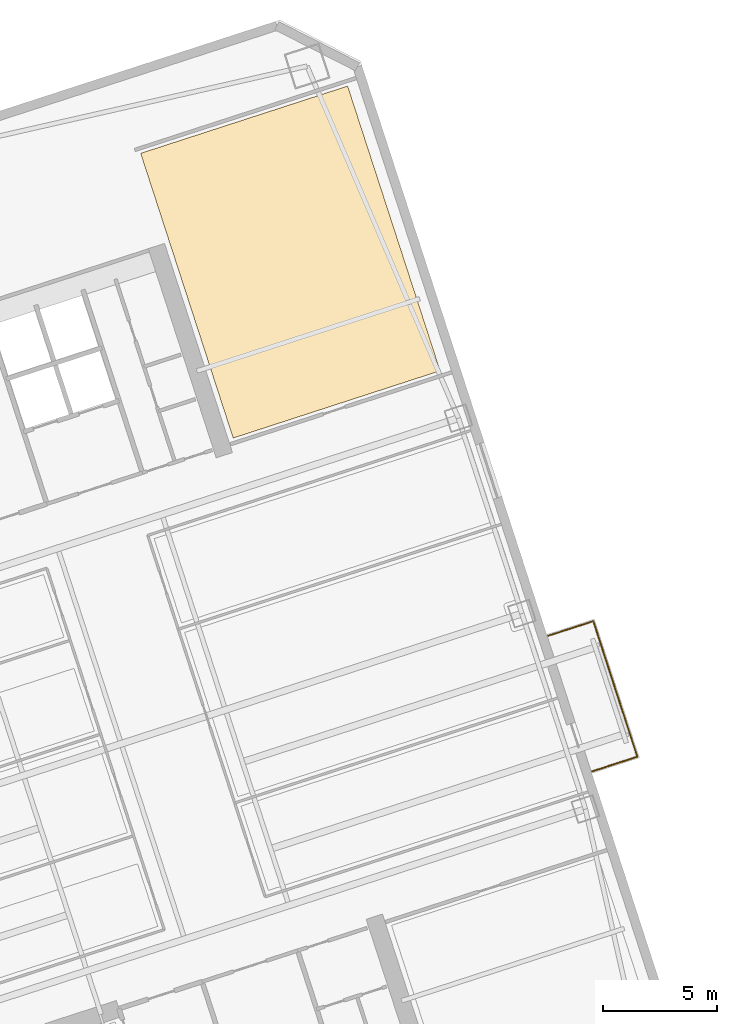
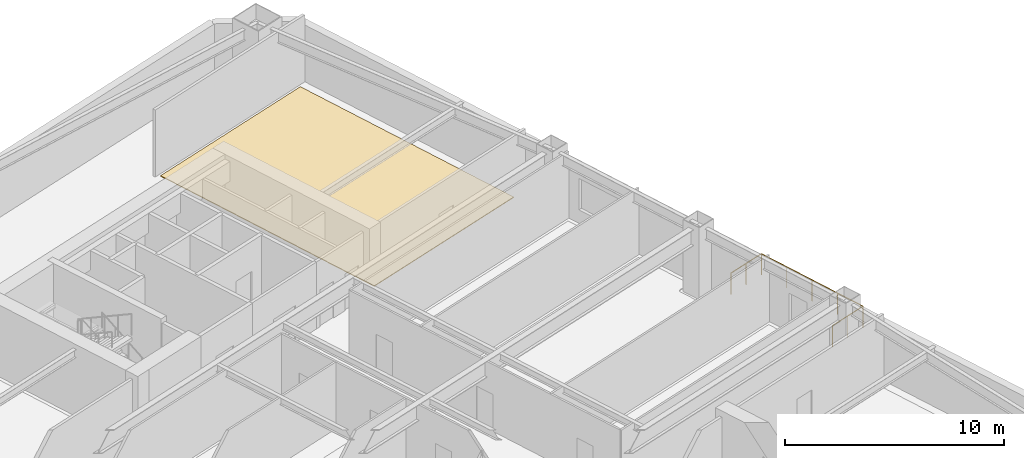
# One storey, part 18 of 18: 1 covering, 1 railing.
"""IFC4 building model written with IfcOpenShell, lengths in metres."""

from ifc_helpers import new_model, si_unit, direction, frame, origin, origin_2d, place, context, subcontext, project, spatial, polyline, circle, outline, extrude, material, layer, layer_set, type_object, element, save


model = new_model("IFC4")

# Units and contexts
model_context = context("Model", 3, precision=1e-05, world=origin(), true_north=direction((0.0, 1.0)))
body_context = subcontext(model_context, "Body", "Model", "MODEL_VIEW")
ifc_project = project(units=[si_unit("LENGTHUNIT", "METRE"), si_unit("AREAUNIT", "SQUARE_METRE"), si_unit("VOLUMEUNIT", "CUBIC_METRE"), si_unit("PLANEANGLEUNIT", "RADIAN"), si_unit("MASSUNIT", "GRAM", prefix="KILO")], contexts=[model_context])

# Site, building, storey
site_placement = place(None, origin())
site = spatial("IfcSite", under=ifc_project, at=site_placement, CompositionType="ELEMENT")
building_placement = place(site_placement, origin())
building = spatial("IfcBuilding", under=site, at=building_placement, Name="Qiaolan Cultural Towers", CompositionType="ELEMENT")
storey_placement = place(building_placement, frame((0.0, 0.0, 38.0)))
storey = spatial("IfcBuildingStorey", under=building, at=storey_placement, Name="L08", CompositionType="ELEMENT", Elevation=38.0)

# Covering
ifc_material_1 = material(Name="Honed Terrazzo & Raised Access Flooring", Category="concrete")
ifc_layer = layer(ifc_material_1, 0.0400390625)
ifc_layer_set = layer_set([ifc_layer], Name="Honed Terrazzo & Raised Access Flooring")
covering_type = type_object("IfcCoveringType", Name="COV-FLR-STONE", PredefinedType="FLOORING", material=ifc_layer_set)
covering_placement = place(storey_placement, origin())
element("IfcCovering", 1, at=covering_placement, inside=storey, type_object=covering_type, Name="L08 Corner Wellness Consultation Room Finish Flooring", PredefinedType="FLOORING", context=body_context, shape_type="SweptSolid", body=[
    extrude(outline(polyline([(103.965576171875, 50.335205078125), (99.91455078125, 62.803466796875), (90.850830078125, 59.858642578125), (94.902099609375, 47.39013671875), (103.965576171875, 50.335205078125)])), origin(), (0.0, 0.0, 1.0), 0.0400390625),
])

# Railing
ifc_material_2 = material(Name="Laminated SentryGlas & Stainless Steel S31608 Balustrade", Category="steel")
railing_type = type_object("IfcRailingType", Name="GRD-TERR-1200", PredefinedType="BALUSTRADE", material=ifc_material_2)
railing_placement = place(storey_placement, frame((110.631591796875, 32.796630859375, 0.0)))
element("IfcRailing", 2, at=railing_placement, inside=storey, type_object=railing_type, Name="L08 T2 Tree Balcony Guardrail E", PredefinedType="BALUSTRADE", context=body_context, shape_type="SweptSolid", body=[
    extrude(circle(Radius=0.02392578125, at=origin_2d()), frame((0.0, 0.0, 1.17578125), z_axis=(0.951061799618, 0.309000733507, 0.0), x_axis=(-0.309000733507, 0.951061799618, 0.0)), (0.0, 0.0, 1.0), 2.070068359375),
    extrude(circle(Radius=0.02392578125, at=origin_2d()), frame((1.96875, 0.6396484375, 1.17578125), z_axis=(-0.30901175762, 0.951058217804, 0.0), x_axis=(-0.951058217804, -0.30901175762, 0.0)), (0.0, 0.0, 1.0), 6.239990234375),
    extrude(circle(Radius=0.02392578125, at=origin_2d()), frame((0.04052734375, 6.57421875, 1.17578125), z_axis=(-0.951061799618, -0.309000733507, 0.0), x_axis=(0.309000733507, -0.951061799618, 0.0)), (0.0, 0.0, 1.0), 2.070068359375),
    extrude(circle(Radius=0.02099609375, at=origin_2d()), origin(), (0.0, 0.0, 1.0), 1.15185546875),
    extrude(circle(Radius=0.02099609375, at=origin_2d()), frame((0.984375, 0.31982421875, 0.0)), (0.0, 0.0, 1.0), 1.15185546875),
    extrude(circle(Radius=0.02099609375, at=origin_2d()), frame((1.96875, 0.6396484375, 0.0)), (0.0, 0.0, 1.0), 1.15185546875),
    extrude(circle(Radius=0.02099609375, at=origin_2d()), frame((1.48681640625, 2.123291015625, 0.0)), (0.0, 0.0, 1.0), 1.15185546875),
    extrude(circle(Radius=0.02099609375, at=origin_2d()), frame((1.004638671875, 3.60693359375, 0.0)), (0.0, 0.0, 1.0), 1.15185546875),
    extrude(circle(Radius=0.02099609375, at=origin_2d()), frame((0.5224609375, 5.090576171875, 0.0)), (0.0, 0.0, 1.0), 1.15185546875),
    extrude(circle(Radius=0.02099609375, at=origin_2d()), frame((0.04052734375, 6.57421875, 0.0)), (0.0, 0.0, 1.0), 1.15185546875),
    extrude(circle(Radius=0.02099609375, at=origin_2d()), frame((-0.94384765625, 6.25439453125, 0.0)), (0.0, 0.0, 1.0), 1.15185546875),
    extrude(circle(Radius=0.02099609375, at=origin_2d()), frame((-1.92822265625, 5.9345703125, 0.0)), (0.0, 0.0, 1.0), 1.15185546875),
])

save(model, "model.ifc")
